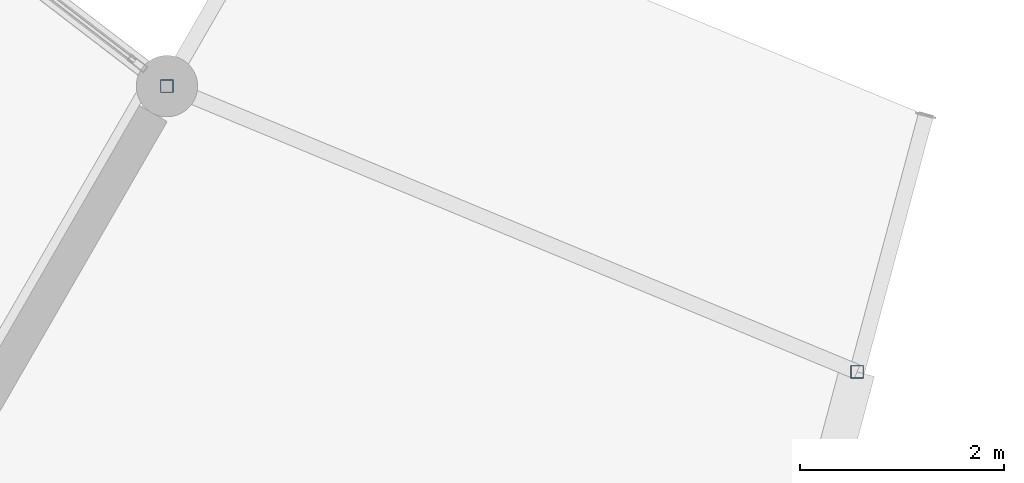
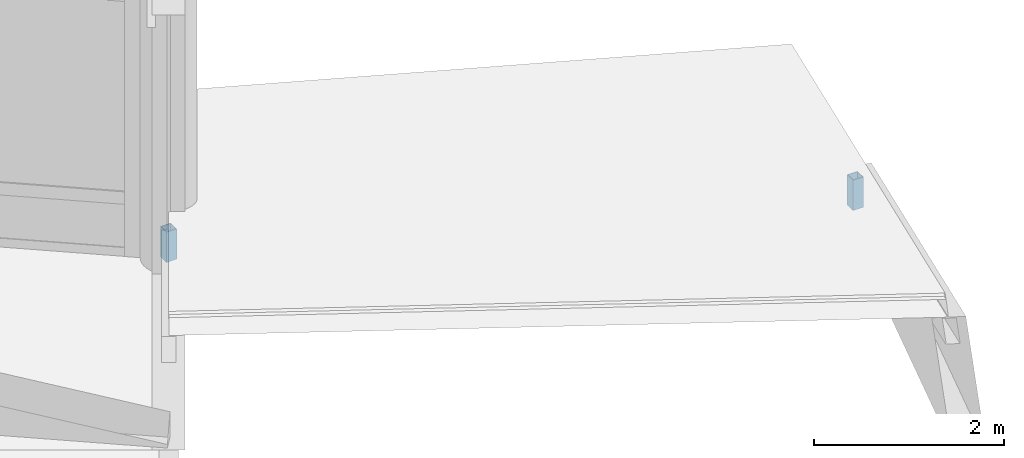
# One storey, part 133 of 185: 2 members.
"""IFC4 building model written with IfcOpenShell, lengths in metres."""

from ifc_helpers import new_model, si_unit, direction, frame, origin, origin_2d, place, context, subcontext, project, spatial, hollow_rectangle, extrude, material, material_profile, profile_set, type_object, element, save


model = new_model("IFC4")

# Units and contexts
model_context = context("Model", 3, precision=1e-05, world=origin(), true_north=direction((0.0, 1.0)))
body_context = subcontext(model_context, "Body", "Model", "MODEL_VIEW")
ifc_project = project(units=[si_unit("LENGTHUNIT", "METRE"), si_unit("AREAUNIT", "SQUARE_METRE"), si_unit("VOLUMEUNIT", "CUBIC_METRE"), si_unit("PLANEANGLEUNIT", "RADIAN"), si_unit("MASSUNIT", "GRAM", prefix="KILO")], contexts=[model_context])

# Site, building, storey
site_placement = place(None, origin())
site = spatial("IfcSite", under=ifc_project, at=site_placement, CompositionType="ELEMENT")
building_placement = place(site_placement, origin())
building = spatial("IfcBuilding", under=site, at=building_placement, Name="Vondelvale Polytechnic", CompositionType="ELEMENT")
storey_placement = place(building_placement, frame((0.0, 0.0, 9.60009765625)))
storey = spatial("IfcBuildingStorey", under=building, at=storey_placement, Name="L02", CompositionType="ELEMENT", Elevation=9.60009765625)

# Members
ifc_material = material(Name="Steel C350L0 (fy = 350 MPa)", Category="steel")
ifc_material_profile = material_profile(ifc_material, hollow_rectangle(XDim=0.125, YDim=0.125, WallThickness=0.006103515625, at=origin_2d()), Name="125x125x6.0SHS")
ifc_profile_set = profile_set([ifc_material_profile], Name="Steel C350L0 (fy = 350 MPa)")
member_type = type_object("IfcMemberType", Name="ROOF TRUSS POST 125SHS", PredefinedType="POST", material=ifc_profile_set)
for number, where, z_axis, x_axis, name in (
    (1, (88.0, 47.751220703125, 0.0), (0.0, 0.0, 1.0), (1.0, 0.0, 0.0), "Ring inner eave post 16"),
    (2, (94.753173828125, 44.9541015625, 0.0), (0.0, 0.0, 1.0), (1.0, 0.0, 0.0), "Ring step inner roof post 16"),
):
    element("IfcMember", number, at=place(storey_placement, frame(where, z_axis=z_axis, x_axis=x_axis)), inside=storey, type_object=member_type, Name=name, PredefinedType="POST", context=body_context, shape_type="SweptSolid", body=[
        extrude(hollow_rectangle(XDim=0.125, YDim=0.125, WallThickness=0.006103515625, at=origin_2d()), origin(), (0.0, 0.0, 1.0), 0.3916015625),
    ])

save(model, "model.ifc")
